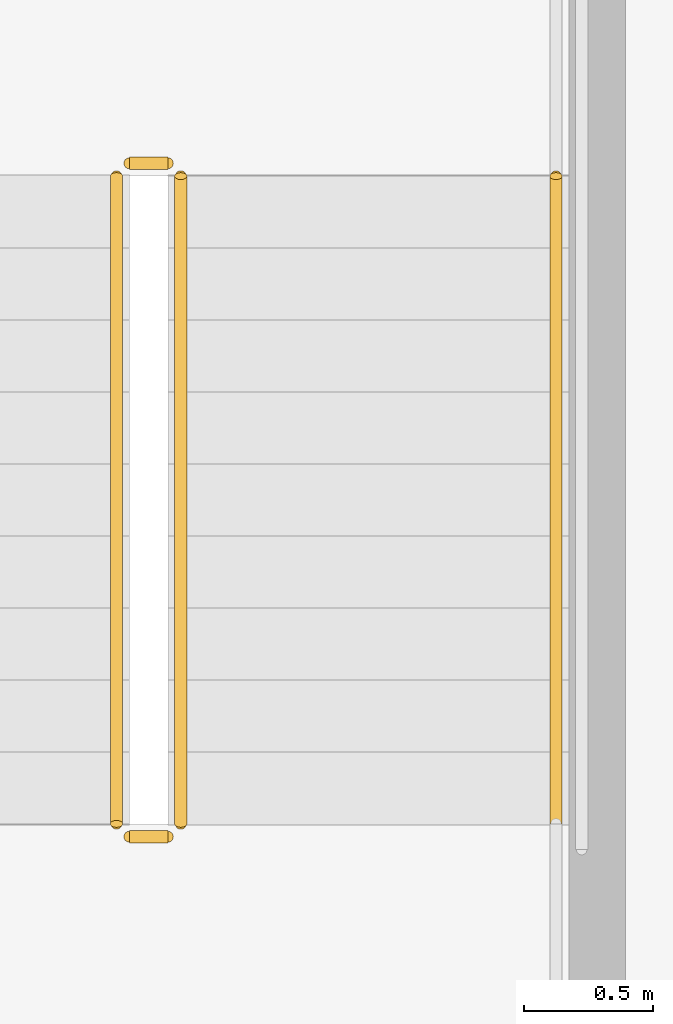
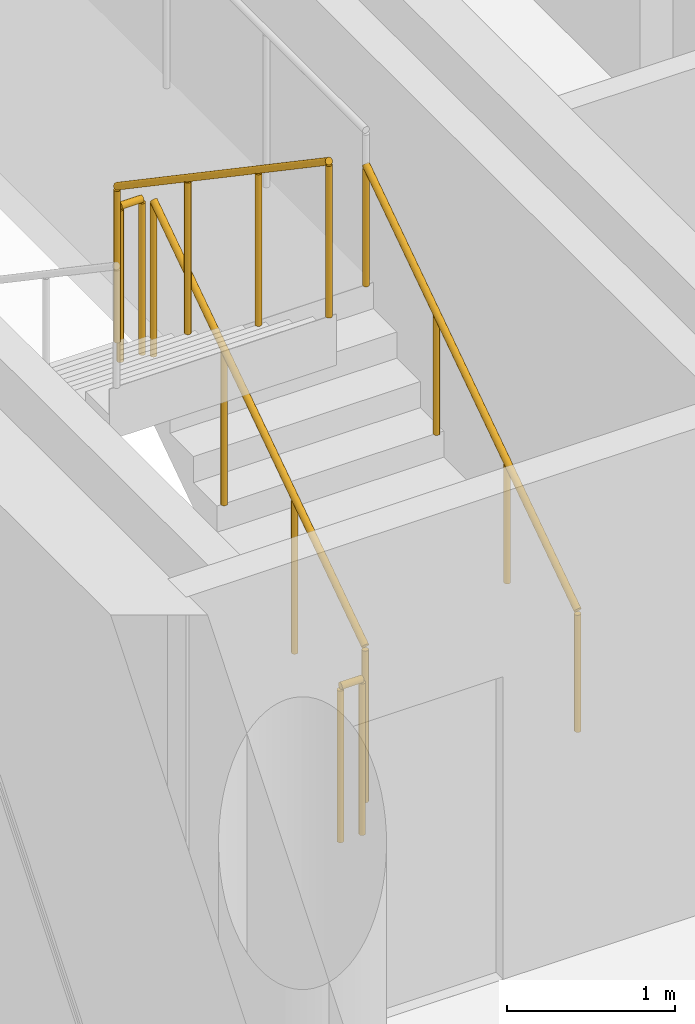
# One storey, part 15 of 17: 5 railings.
"""IFC4 building model written with IfcOpenShell, lengths in metres."""

from ifc_helpers import new_model, si_unit, direction, frame, origin, origin_2d, place, context, subcontext, project, spatial, circle, extrude, material, type_object, element, save


model = new_model("IFC4")

# Units and contexts
model_context = context("Model", 3, precision=1e-05, world=origin(), true_north=direction((0.0, 1.0)))
body_context = subcontext(model_context, "Body", "Model", "MODEL_VIEW")
ifc_project = project(units=[si_unit("LENGTHUNIT", "METRE"), si_unit("AREAUNIT", "SQUARE_METRE"), si_unit("VOLUMEUNIT", "CUBIC_METRE"), si_unit("PLANEANGLEUNIT", "RADIAN"), si_unit("MASSUNIT", "GRAM", prefix="KILO")], contexts=[model_context])

# Site, building, storey
site_placement = place(None, origin())
site = spatial("IfcSite", under=ifc_project, at=site_placement, CompositionType="ELEMENT")
building_placement = place(site_placement, origin())
building = spatial("IfcBuilding", under=site, at=building_placement, Name="Khairoan Windgate Tower", CompositionType="ELEMENT")
storey_placement = place(building_placement, frame((0.0, 0.0, 308.0)))
storey = spatial("IfcBuildingStorey", under=building, at=storey_placement, Name="L74", CompositionType="ELEMENT", Elevation=308.0)

# Railings
ifc_material_1 = material(Name="Anodised Bronze Aluminium 6063-T6", Category="aluminium")
railing_type_1 = type_object("IfcRailingType", Name="Stair Wall Handrail SHR-900", PredefinedType="HANDRAIL", material=ifc_material_1)
railing_1_placement = place(storey_placement, frame((-16.199951171875, 2.9599609375, 0.18994140625)))
element("IfcRailing", 1, at=railing_1_placement, inside=storey, type_object=railing_type_1, Name="L74 ST2 stair handrail 1", PredefinedType="HANDRAIL", context=body_context, shape_type="SweptSolid", body=[
    extrude(circle(Radius=0.02392578125, at=origin_2d()), frame((0.0, 0.0, 0.8759765625), z_axis=(0.0, 0.827483756001, 0.561489655786), x_axis=(-1.0, 0.0, 0.0)), (0.0, 0.0, 1.0), 3.04541015625),
    extrude(circle(Radius=0.02099609375, at=origin_2d()), origin(), (0.0, 0.0, 1.0), 0.851806640625),
    extrude(circle(Radius=0.02099609375, at=origin_2d()), frame((0.0, 0.840087890625, 0.570068359375)), (0.0, 0.0, 1.0), 0.851806640625),
    extrude(circle(Radius=0.02099609375, at=origin_2d()), frame((0.0, 1.679931640625, 1.139892578125)), (0.0, 0.0, 1.0), 0.851806640625),
    extrude(circle(Radius=0.02099609375, at=origin_2d()), frame((0.0, 2.52001953125, 1.7099609375)), (0.0, 0.0, 1.0), 0.851806640625),
])
ifc_material_2 = material(Name="Steel S355", Category="steel")
railing_type_2 = type_object("IfcRailingType", Name="Stairwell Safety Guardrail SGR-1150", PredefinedType="GUARDRAIL", material=ifc_material_2)
railing_2_placement = place(storey_placement, frame((-17.659912109375, 2.9599609375, 0.18994140625)))
element("IfcRailing", 2, at=railing_2_placement, inside=storey, type_object=railing_type_2, Name="L74 ST2 stair guard 1", PredefinedType="GUARDRAIL", context=body_context, shape_type="SweptSolid", body=[
    extrude(circle(Radius=0.02392578125, at=origin_2d()), frame((0.0, 0.0, 1.1259765625), z_axis=(0.0, 0.827483756001, 0.561489655786), x_axis=(-1.0, 0.0, 0.0)), (0.0, 0.0, 1.0), 3.04541015625),
    extrude(circle(Radius=0.02099609375, at=origin_2d()), origin(), (0.0, 0.0, 1.0), 1.101806640625),
    extrude(circle(Radius=0.02099609375, at=origin_2d()), frame((0.0, 0.840087890625, 0.570068359375)), (0.0, 0.0, 1.0), 1.101806640625),
    extrude(circle(Radius=0.02099609375, at=origin_2d()), frame((0.0, 1.679931640625, 1.139892578125)), (0.0, 0.0, 1.0), 1.101806640625),
    extrude(circle(Radius=0.02099609375, at=origin_2d()), frame((0.0, 2.52001953125, 1.7099609375)), (0.0, 0.0, 1.0), 1.101806640625),
])
railing_3_placement = place(storey_placement, frame((-17.7099609375, 5.530029296875, 1.89990234375)))
element("IfcRailing", 3, at=railing_3_placement, inside=storey, type_object=railing_type_2, Name="L74 ST2 stair guard 2", PredefinedType="GUARDRAIL", context=body_context, shape_type="SweptSolid", body=[
    extrude(circle(Radius=0.02392578125, at=origin_2d()), frame((0.0, 0.0, 1.1259765625), z_axis=(-1.0, 0.0, 0.0), x_axis=(0.0, -1.0, 0.0)), (0.0, 0.0, 1.0), 0.150146484375),
    extrude(circle(Radius=0.02099609375, at=origin_2d()), origin(), (0.0, 0.0, 1.0), 1.101806640625),
    extrude(circle(Radius=0.02099609375, at=origin_2d()), frame((-0.150146484375, 0.0, 0.0)), (0.0, 0.0, 1.0), 1.101806640625),
])
railing_4_placement = place(storey_placement, frame((-17.909912109375, 5.47998046875, 2.090087890625)))
element("IfcRailing", 4, at=railing_4_placement, inside=storey, type_object=railing_type_2, Name="L74 ST2 stair guard 6", PredefinedType="GUARDRAIL", context=body_context, shape_type="SweptSolid", body=[
    extrude(circle(Radius=0.02392578125, at=origin_2d()), frame((0.0, 0.0, 1.1259765625), z_axis=(0.0, -0.827483756001, 0.561489655786), x_axis=(1.0, 0.0, 0.0)), (0.0, 0.0, 1.0), 3.04541015625),
    extrude(circle(Radius=0.02099609375, at=origin_2d()), origin(), (0.0, 0.0, 1.0), 1.101806640625),
    extrude(circle(Radius=0.02099609375, at=origin_2d()), frame((0.0, -0.840087890625, 0.570068359375)), (0.0, 0.0, 1.0), 1.101806640625),
    extrude(circle(Radius=0.02099609375, at=origin_2d()), frame((0.0, -1.679931640625, 1.139892578125)), (0.0, 0.0, 1.0), 1.101806640625),
    extrude(circle(Radius=0.02099609375, at=origin_2d()), frame((0.0, -2.52001953125, 1.7099609375)), (0.0, 0.0, 1.0), 1.101806640625),
])
railing_5_placement = place(storey_placement, frame((-17.7099609375, 2.909912109375, 0.0)))
element("IfcRailing", 5, at=railing_5_placement, inside=storey, type_object=railing_type_2, Name="L74 ST2 stair guard 7", PredefinedType="GUARDRAIL", context=body_context, shape_type="SweptSolid", body=[
    extrude(circle(Radius=0.02392578125, at=origin_2d()), frame((0.0, 0.0, 1.1259765625), z_axis=(-1.0, 0.0, 0.0), x_axis=(0.0, -1.0, 0.0)), (0.0, 0.0, 1.0), 0.150146484375),
    extrude(circle(Radius=0.02099609375, at=origin_2d()), origin(), (0.0, 0.0, 1.0), 1.101806640625),
    extrude(circle(Radius=0.02099609375, at=origin_2d()), frame((-0.150146484375, 0.0, 0.0)), (0.0, 0.0, 1.0), 1.101806640625),
])

save(model, "model.ifc")
